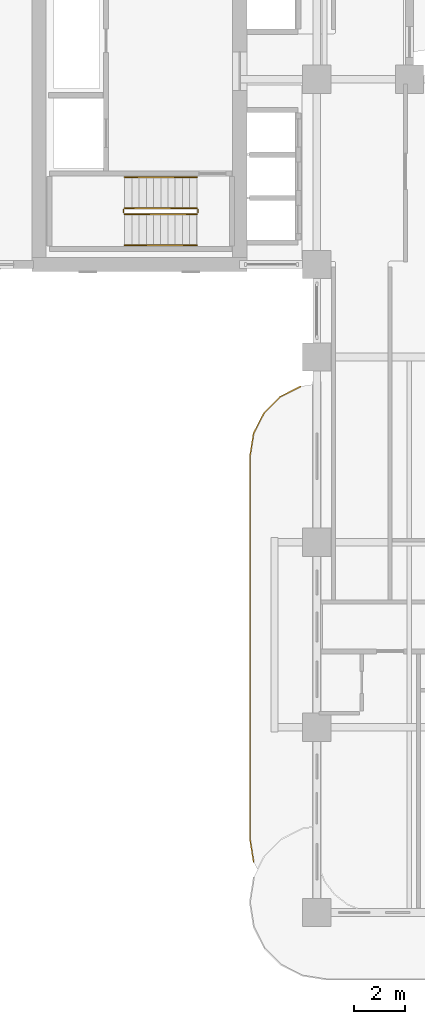
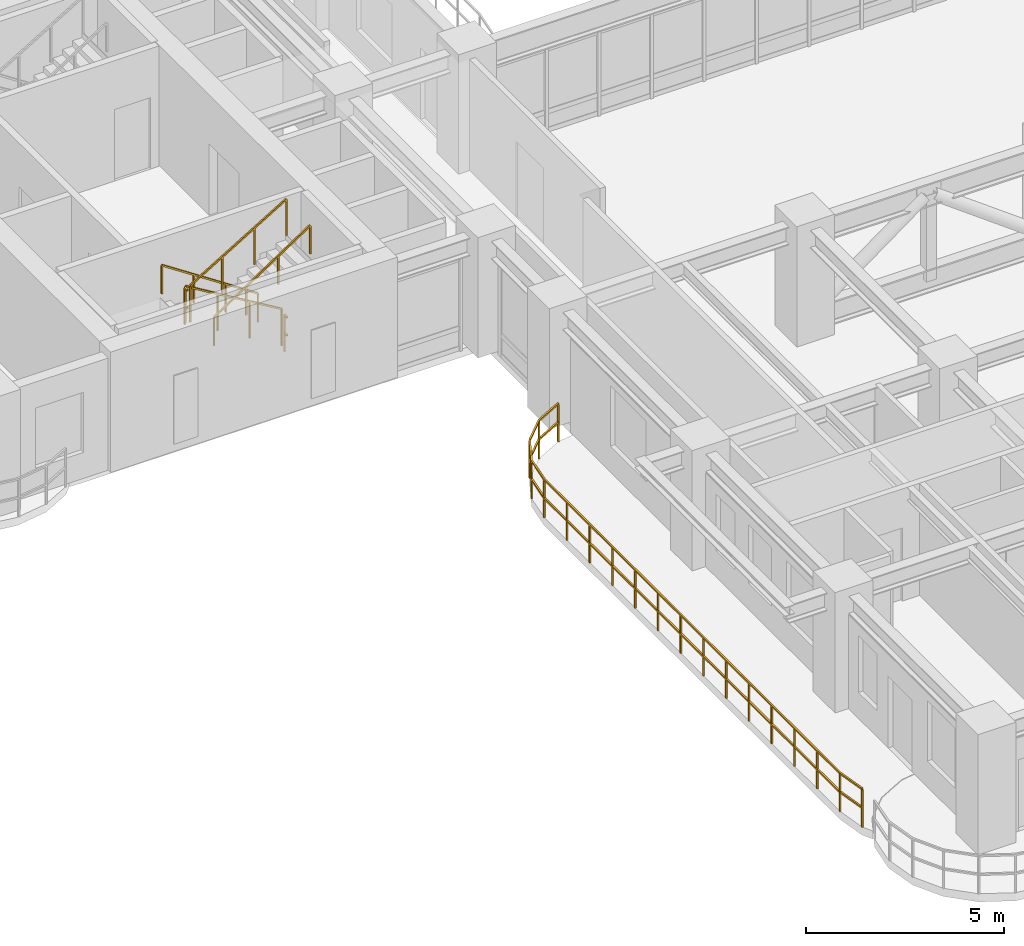
# One storey, part 17 of 21: 7 railings.
"""IFC4 building model written with IfcOpenShell, lengths in metres."""

from ifc_helpers import new_model, si_unit, derived_unit, direction, frame, origin, origin_2d, place, context, subcontext, project, spatial, rectangle, extrude, material, type_object, element, save


model = new_model("IFC4")

# Units and contexts
model_context = context("Model", 3, precision=1e-05, world=origin(), true_north=direction((0.0, 1.0)))
body_context = subcontext(model_context, "Body", "Model", "MODEL_VIEW")
ifc_project = project(units=[si_unit("LENGTHUNIT", "METRE"), si_unit("AREAUNIT", "SQUARE_METRE"), si_unit("VOLUMEUNIT", "CUBIC_METRE"), si_unit("PLANEANGLEUNIT", "RADIAN"), si_unit("MASSUNIT", "GRAM", prefix="KILO"), si_unit("THERMODYNAMICTEMPERATUREUNIT", "KELVIN"), si_unit("POWERUNIT", "WATT"), derived_unit("THERMALTRANSMITTANCEUNIT", [(si_unit("POWERUNIT", "WATT"), 1), (si_unit("AREAUNIT", "SQUARE_METRE"), -1), (si_unit("THERMODYNAMICTEMPERATUREUNIT", "KELVIN"), -1)])], contexts=[model_context])

# Site, building, storey
site_placement = place(None, origin())
site = spatial("IfcSite", under=ifc_project, at=site_placement, CompositionType="ELEMENT")
building_placement = place(site_placement, origin())
building = spatial("IfcBuilding", under=site, at=building_placement, Name="Zahravan Archway Hotel and Residences", CompositionType="ELEMENT")
storey_placement = place(building_placement, frame((0.0, 0.0, 69.39990234375)))
storey = spatial("IfcBuildingStorey", under=building, at=storey_placement, Name="L16", CompositionType="ELEMENT", Elevation=69.39990234375)

# Railings
ifc_material_1 = material(Name="Bronze & Laminated Glass Balustrade", Category="glass")
railing_type_1 = type_object("IfcRailingType", Name="RL-BAL-1200", PredefinedType="BALUSTRADE", material=ifc_material_1)
railing_1_placement = place(storey_placement, frame((11.939453125, 1.96923828125, 0.0)))
element("IfcRailing", 1, at=railing_1_placement, inside=storey, type_object=railing_type_1, Name="L16 Balustrade RL-SLB-BAL-L16-WA-1", PredefinedType="BALUSTRADE", context=body_context, shape_type="SweptSolid", body=[
    extrude(rectangle(XDim=0.048095703125, YDim=0.048095703125, at=origin_2d()), frame((0.0, 0.0, 1.17578125), z_axis=(-0.156314005608, 0.987707411965, 0.0), x_axis=(-0.987707411965, -0.156314005608, 0.0)), (0.0, 0.0, 1.0), 0.891845703125),
    extrude(rectangle(XDim=0.048095703125, YDim=0.048095703125, at=origin_2d()), frame((0.0, 0.0, 0.60009765625), z_axis=(-0.156314005608, 0.987707411965, 0.0), x_axis=(-0.987707411965, -0.156314005608, 0.0)), (0.0, 0.0, 1.0), 0.891845703125),
    extrude(rectangle(XDim=0.048095703125, YDim=0.048095703125, at=origin_2d()), frame((-0.139404296875, 0.880859375, 1.17578125), z_axis=(0.0, 1.0, 0.0), x_axis=(-1.0, 0.0, 0.0)), (0.0, 0.0, 1.0), 14.89990234375),
    extrude(rectangle(XDim=0.048095703125, YDim=0.048095703125, at=origin_2d()), frame((-0.139404296875, 0.880859375, 0.60009765625), z_axis=(0.0, 1.0, 0.0), x_axis=(-1.0, 0.0, 0.0)), (0.0, 0.0, 1.0), 14.89990234375),
    extrude(rectangle(XDim=0.048095703125, YDim=0.048095703125, at=origin_2d()), frame((-0.139404296875, 15.78076171875, 1.17578125), z_axis=(0.156356282588, 0.987700720307, 0.0), x_axis=(-0.987700720307, 0.156356282588, 0.0)), (0.0, 0.0, 1.0), 0.8916015625),
    extrude(rectangle(XDim=0.048095703125, YDim=0.048095703125, at=origin_2d()), frame((-0.139404296875, 15.78076171875, 0.60009765625), z_axis=(0.156356282588, 0.987700720307, 0.0), x_axis=(-0.987700720307, 0.156356282588, 0.0)), (0.0, 0.0, 1.0), 0.8916015625),
    extrude(rectangle(XDim=0.048095703125, YDim=0.048095703125, at=origin_2d()), frame((0.0, 16.661376953125, 1.17578125), z_axis=(0.45388067135, 0.891062476022, 0.0), x_axis=(-0.891062476022, 0.45388067135, 0.0)), (0.0, 0.0, 1.0), 0.891845703125),
    extrude(rectangle(XDim=0.048095703125, YDim=0.048095703125, at=origin_2d()), frame((0.0, 16.661376953125, 0.60009765625), z_axis=(0.45388067135, 0.891062476022, 0.0), x_axis=(-0.891062476022, 0.45388067135, 0.0)), (0.0, 0.0, 1.0), 0.891845703125),
    extrude(rectangle(XDim=0.048095703125, YDim=0.048095703125, at=origin_2d()), frame((0.40478515625, 17.4560546875, 1.17578125), z_axis=(0.70724367147, 0.706969864397, 0.0), x_axis=(-0.706969864397, 0.70724367147, 0.0)), (0.0, 0.0, 1.0), 0.8916015625),
    extrude(rectangle(XDim=0.048095703125, YDim=0.048095703125, at=origin_2d()), frame((0.40478515625, 17.4560546875, 0.60009765625), z_axis=(0.70724367147, 0.706969864397, 0.0), x_axis=(-0.706969864397, 0.70724367147, 0.0)), (0.0, 0.0, 1.0), 0.8916015625),
    extrude(rectangle(XDim=0.048095703125, YDim=0.048095703125, at=origin_2d()), frame((1.035400390625, 18.08642578125, 1.17578125), z_axis=(0.891006060389, 0.453991409995, 0.0), x_axis=(-0.453991409995, 0.891006060389, 0.0)), (0.0, 0.0, 1.0), 0.8916015625),
    extrude(rectangle(XDim=0.048095703125, YDim=0.048095703125, at=origin_2d()), frame((1.035400390625, 18.08642578125, 0.60009765625), z_axis=(0.891006060389, 0.453991409995, 0.0), x_axis=(-0.453991409995, 0.891006060389, 0.0)), (0.0, 0.0, 1.0), 0.8916015625),
    extrude(rectangle(XDim=0.0419921875, YDim=0.0419921875, at=origin_2d()), origin(), (0.0, 0.0, 1.0), 1.15185546875),
    extrude(rectangle(XDim=0.0419921875, YDim=0.0419921875, at=origin_2d()), frame((-0.139404296875, 0.880859375, 0.0)), (0.0, 0.0, 1.0), 1.15185546875),
    extrude(rectangle(XDim=0.0419921875, YDim=0.0419921875, at=origin_2d()), frame((-0.139404296875, 2.027099609375, 0.0)), (0.0, 0.0, 1.0), 1.15185546875),
    extrude(rectangle(XDim=0.0419921875, YDim=0.0419921875, at=origin_2d()), frame((-0.139404296875, 3.173095703125, 0.0)), (0.0, 0.0, 1.0), 1.15185546875),
    extrude(rectangle(XDim=0.0419921875, YDim=0.0419921875, at=origin_2d()), frame((-0.139404296875, 4.3193359375, 0.0)), (0.0, 0.0, 1.0), 1.15185546875),
    extrude(rectangle(XDim=0.0419921875, YDim=0.0419921875, at=origin_2d()), frame((-0.139404296875, 5.46533203125, 0.0)), (0.0, 0.0, 1.0), 1.15185546875),
    extrude(rectangle(XDim=0.0419921875, YDim=0.0419921875, at=origin_2d()), frame((-0.139404296875, 6.611572265625, 0.0)), (0.0, 0.0, 1.0), 1.15185546875),
    extrude(rectangle(XDim=0.0419921875, YDim=0.0419921875, at=origin_2d()), frame((-0.139404296875, 7.7578125, 0.0)), (0.0, 0.0, 1.0), 1.15185546875),
    extrude(rectangle(XDim=0.0419921875, YDim=0.0419921875, at=origin_2d()), frame((-0.139404296875, 8.90380859375, 0.0)), (0.0, 0.0, 1.0), 1.15185546875),
    extrude(rectangle(XDim=0.0419921875, YDim=0.0419921875, at=origin_2d()), frame((-0.139404296875, 10.050048828125, 0.0)), (0.0, 0.0, 1.0), 1.15185546875),
    extrude(rectangle(XDim=0.0419921875, YDim=0.0419921875, at=origin_2d()), frame((-0.139404296875, 11.1962890625, 0.0)), (0.0, 0.0, 1.0), 1.15185546875),
    extrude(rectangle(XDim=0.0419921875, YDim=0.0419921875, at=origin_2d()), frame((-0.139404296875, 12.34228515625, 0.0)), (0.0, 0.0, 1.0), 1.15185546875),
    extrude(rectangle(XDim=0.0419921875, YDim=0.0419921875, at=origin_2d()), frame((-0.139404296875, 13.488525390625, 0.0)), (0.0, 0.0, 1.0), 1.15185546875),
    extrude(rectangle(XDim=0.0419921875, YDim=0.0419921875, at=origin_2d()), frame((-0.139404296875, 14.634521484375, 0.0)), (0.0, 0.0, 1.0), 1.15185546875),
    extrude(rectangle(XDim=0.0419921875, YDim=0.0419921875, at=origin_2d()), frame((-0.139404296875, 15.78076171875, 0.0)), (0.0, 0.0, 1.0), 1.15185546875),
    extrude(rectangle(XDim=0.0419921875, YDim=0.0419921875, at=origin_2d()), frame((0.0, 16.661376953125, 0.0)), (0.0, 0.0, 1.0), 1.15185546875),
    extrude(rectangle(XDim=0.0419921875, YDim=0.0419921875, at=origin_2d()), frame((0.40478515625, 17.4560546875, 0.0)), (0.0, 0.0, 1.0), 1.15185546875),
    extrude(rectangle(XDim=0.0419921875, YDim=0.0419921875, at=origin_2d()), frame((1.035400390625, 18.08642578125, 0.0)), (0.0, 0.0, 1.0), 1.15185546875),
    extrude(rectangle(XDim=0.0419921875, YDim=0.0419921875, at=origin_2d()), frame((1.829833984375, 18.4912109375, 0.0)), (0.0, 0.0, 1.0), 1.15185546875),
])
ifc_material_2 = material(Name="Painted Tubular Steel", Category="steel")
railing_type_2 = type_object("IfcRailingType", Name="RL-STG-1150", PredefinedType="GUARDRAIL", material=ifc_material_2)
railing_2_placement = place(storey_placement, frame((9.72998046875, 27.389892578125, 0.168212890625)))
element("IfcRailing", 2, at=railing_2_placement, inside=storey, type_object=railing_type_2, Name="L16 ST-B1 stair guard 1", PredefinedType="GUARDRAIL", context=body_context, shape_type="SweptSolid", body=[
    extrude(rectangle(XDim=0.048095703125, YDim=0.048095703125, at=origin_2d()), frame((0.0, 0.0, 1.1259765625), z_axis=(-0.857242210791, 0.0, 0.514913383045), x_axis=(0.0, -1.0, 0.0)), (0.0, 0.0, 1.0), 3.266357421875),
    extrude(rectangle(XDim=0.0419921875, YDim=0.0419921875, at=origin_2d()), origin(), (0.0, 0.0, 1.0), 1.101806640625),
    extrude(rectangle(XDim=0.0419921875, YDim=0.0419921875, at=origin_2d()), frame((-0.933349609375, 0.0, 0.560546875)), (0.0, 0.0, 1.0), 1.101806640625),
    extrude(rectangle(XDim=0.0419921875, YDim=0.0419921875, at=origin_2d()), frame((-1.86669921875, 0.0, 1.121337890625)), (0.0, 0.0, 1.0), 1.101806640625),
    extrude(rectangle(XDim=0.0419921875, YDim=0.0419921875, at=origin_2d()), frame((-2.800048828125, 0.0, 1.681884765625)), (0.0, 0.0, 1.0), 1.101806640625),
])
railing_3_placement = place(storey_placement, frame((6.8798828125, 27.340087890625, 1.85009765625)))
element("IfcRailing", 3, at=railing_3_placement, inside=storey, type_object=railing_type_2, Name="L16 ST-B1 stair guard 2", PredefinedType="GUARDRAIL", context=body_context, shape_type="SweptSolid", body=[
    extrude(rectangle(XDim=0.048095703125, YDim=0.048095703125, at=origin_2d()), frame((0.0, 0.0, 1.1259765625), z_axis=(0.0, -1.0, 0.0), x_axis=(1.0, 0.0, 0.0)), (0.0, 0.0, 1.0), 0.14013671875),
    extrude(rectangle(XDim=0.048095703125, YDim=0.048095703125, at=origin_2d()), frame((0.0, 0.0, 0.574951171875), z_axis=(0.0, -1.0, 0.0), x_axis=(1.0, 0.0, 0.0)), (0.0, 0.0, 1.0), 0.14013671875),
    extrude(rectangle(XDim=0.0419921875, YDim=0.0419921875, at=origin_2d()), origin(), (0.0, 0.0, 1.0), 1.101806640625),
])
railing_4_placement = place(storey_placement, frame((6.929931640625, 27.14990234375, 2.018310546875)))
element("IfcRailing", 4, at=railing_4_placement, inside=storey, type_object=railing_type_2, Name="L16 ST-B1 stair guard 3", PredefinedType="GUARDRAIL", context=body_context, shape_type="SweptSolid", body=[
    extrude(rectangle(XDim=0.048095703125, YDim=0.048095703125, at=origin_2d()), frame((0.0, 0.0, 1.1259765625), z_axis=(0.857242210791, 0.0, 0.514913383045), x_axis=(0.0, 1.0, 0.0)), (0.0, 0.0, 1.0), 3.266357421875),
    extrude(rectangle(XDim=0.0419921875, YDim=0.0419921875, at=origin_2d()), origin(), (0.0, 0.0, 1.0), 1.101806640625),
    extrude(rectangle(XDim=0.0419921875, YDim=0.0419921875, at=origin_2d()), frame((0.933349609375, 0.0, 0.560546875)), (0.0, 0.0, 1.0), 1.101806640625),
    extrude(rectangle(XDim=0.0419921875, YDim=0.0419921875, at=origin_2d()), frame((1.86669921875, 0.0, 1.121337890625)), (0.0, 0.0, 1.0), 1.101806640625),
    extrude(rectangle(XDim=0.0419921875, YDim=0.0419921875, at=origin_2d()), frame((2.800048828125, 0.0, 1.681884765625)), (0.0, 0.0, 1.0), 1.101806640625),
])
railing_5_placement = place(storey_placement, frame((9.780029296875, 27.340087890625, 0.0)))
element("IfcRailing", 5, at=railing_5_placement, inside=storey, type_object=railing_type_2, Name="L16 ST-B1 stair guard 4", PredefinedType="GUARDRAIL", context=body_context, shape_type="SweptSolid", body=[
    extrude(rectangle(XDim=0.048095703125, YDim=0.048095703125, at=origin_2d()), frame((0.0, 0.0, 1.1259765625), z_axis=(0.0, -1.0, 0.0), x_axis=(1.0, 0.0, 0.0)), (0.0, 0.0, 1.0), 0.14013671875),
    extrude(rectangle(XDim=0.048095703125, YDim=0.048095703125, at=origin_2d()), frame((0.0, 0.0, 0.574951171875), z_axis=(0.0, -1.0, 0.0), x_axis=(1.0, 0.0, 0.0)), (0.0, 0.0, 1.0), 0.14013671875),
    extrude(rectangle(XDim=0.0419921875, YDim=0.0419921875, at=origin_2d()), origin(), (0.0, 0.0, 1.0), 1.101806640625),
])
ifc_material_3 = material(Name="Brushed Stainless Steel", Category="steel")
railing_type_3 = type_object("IfcRailingType", Name="RL-STH-900", PredefinedType="HANDRAIL", material=ifc_material_3)
railing_6_placement = place(storey_placement, frame((9.72998046875, 28.590087890625, 0.168212890625)))
element("IfcRailing", 6, at=railing_6_placement, inside=storey, type_object=railing_type_3, Name="L16 ST-B1 stair handrail 1", PredefinedType="HANDRAIL", context=body_context, shape_type="SweptSolid", body=[
    extrude(rectangle(XDim=0.048095703125, YDim=0.048095703125, at=origin_2d()), frame((0.0, 0.0, 0.8759765625), z_axis=(-0.834326358476, 0.0, 0.551270829586), x_axis=(0.0, -1.0, 0.0)), (0.0, 0.0, 1.0), 3.35595703125),
    extrude(rectangle(XDim=0.0419921875, YDim=0.0419921875, at=origin_2d()), origin(), (0.0, 0.0, 1.0), 0.851806640625),
    extrude(rectangle(XDim=0.0419921875, YDim=0.0419921875, at=origin_2d()), frame((-0.933349609375, 0.0, 0.61669921875)), (0.0, 0.0, 1.0), 0.851806640625),
    extrude(rectangle(XDim=0.0419921875, YDim=0.0419921875, at=origin_2d()), frame((-1.86669921875, 0.0, 1.2333984375)), (0.0, 0.0, 1.0), 0.851806640625),
    extrude(rectangle(XDim=0.0419921875, YDim=0.0419921875, at=origin_2d()), frame((-2.800048828125, 0.0, 1.85009765625)), (0.0, 0.0, 1.0), 0.851806640625),
])
railing_7_placement = place(storey_placement, frame((6.929931640625, 25.949951171875, 2.018310546875)))
element("IfcRailing", 7, at=railing_7_placement, inside=storey, type_object=railing_type_3, Name="L16 ST-B1 stair handrail 2", PredefinedType="HANDRAIL", context=body_context, shape_type="SweptSolid", body=[
    extrude(rectangle(XDim=0.048095703125, YDim=0.048095703125, at=origin_2d()), frame((0.0, 0.0, 0.8759765625), z_axis=(0.83435981716, 0.0, 0.551220187865), x_axis=(0.0, 1.0, 0.0)), (0.0, 0.0, 1.0), 3.35595703125),
    extrude(rectangle(XDim=0.0419921875, YDim=0.0419921875, at=origin_2d()), origin(), (0.0, 0.0, 1.0), 0.851806640625),
    extrude(rectangle(XDim=0.0419921875, YDim=0.0419921875, at=origin_2d()), frame((0.933349609375, 0.0, 0.61669921875)), (0.0, 0.0, 1.0), 0.851806640625),
    extrude(rectangle(XDim=0.0419921875, YDim=0.0419921875, at=origin_2d()), frame((1.86669921875, 0.0, 1.233154296875)), (0.0, 0.0, 1.0), 0.851806640625),
    extrude(rectangle(XDim=0.0419921875, YDim=0.0419921875, at=origin_2d()), frame((2.800048828125, 0.0, 1.849853515625)), (0.0, 0.0, 1.0), 0.851806640625),
])

save(model, "model.ifc")
